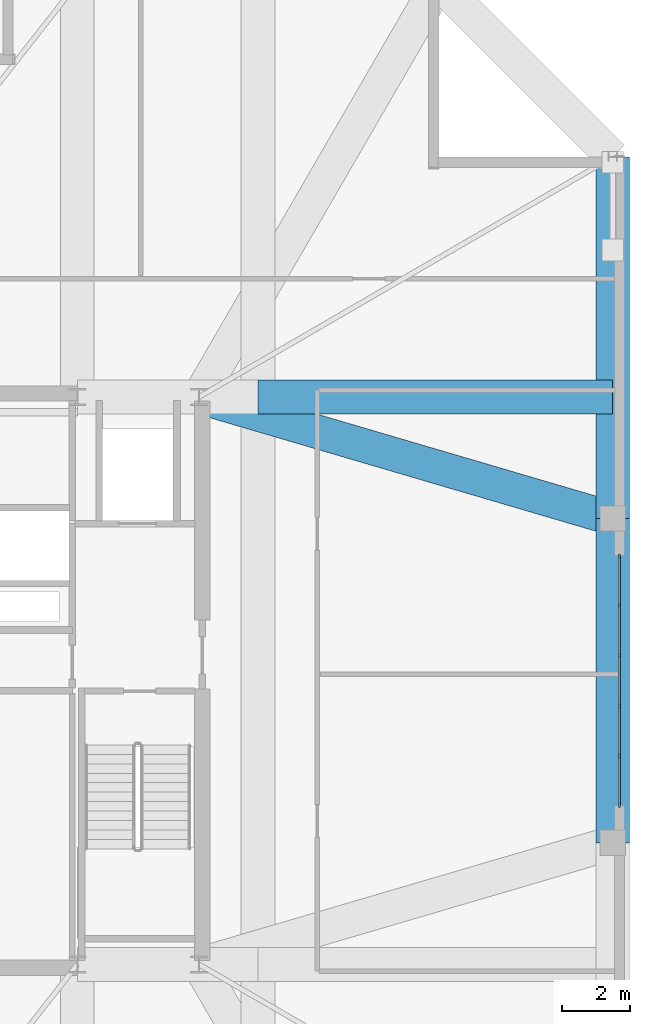
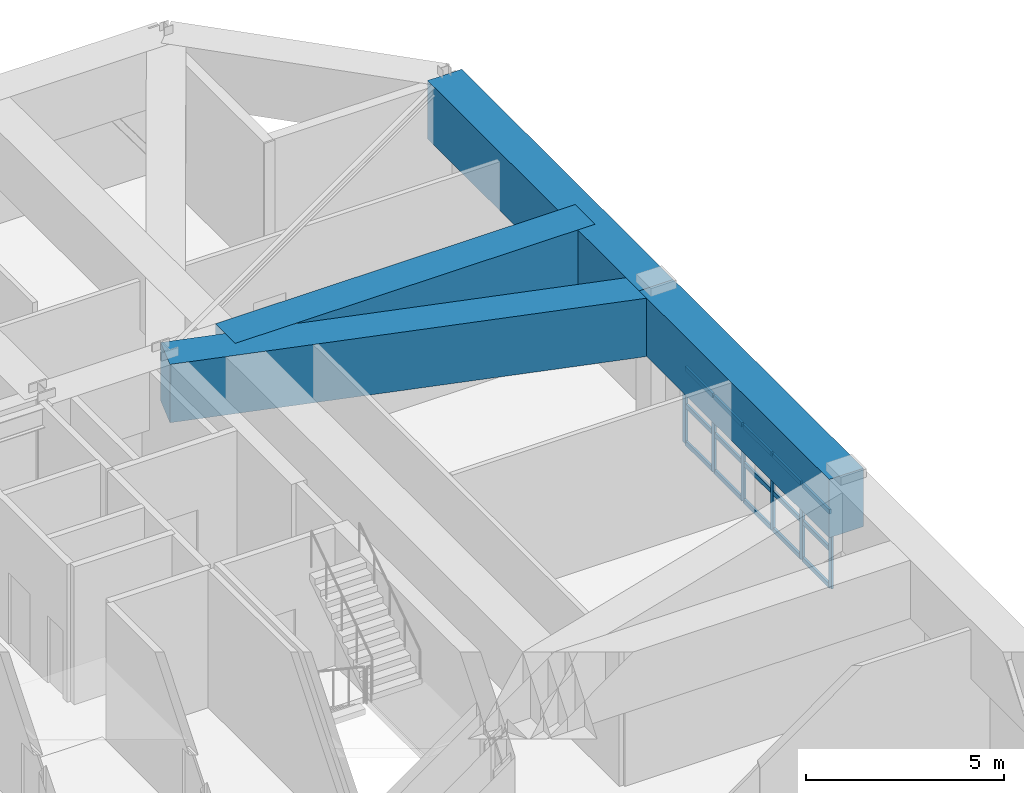
# One storey, part 10 of 17: 21 members, 4 beams, 1 element without a shape of its own.
"""IFC4 building model written with IfcOpenShell, lengths in metres."""

import ifcopenshell
import ifcopenshell.guid

model = None  # the IFC model being written
_history = None  # IfcOwnerHistory: only IFC2X3 demands one
_inside = {}  # id of a spatial element -> (the spatial element, [elements in it])
_under = {}  # id of a project, library or spatial element -> (it, [spatial elements below it])
_declared = {}  # id of a project -> (the project, [libraries it declares])
_typed = {}  # id of a type object -> (the type object, [elements of that type])
_made_of = {}  # id of a material, layer set ... -> (it, [elements and type objects made of it])


def new_model(schema):
    """Start an empty IFC model of exactly this schema.

    Asked for "IFC4X3", IfcOpenShell would pick the latest addendum, in which some entities
    have other attributes; the version numbers below select the first issue.
    IFC2X3 requires an IfcOwnerHistory on every rooted entity: one is made here for all.
    """
    global model, _history
    if schema == "IFC4X3":
        model = ifcopenshell.file(schema_version=(4, 3, 0, 0))
    else:
        model = ifcopenshell.file(schema=schema)
    _inside.clear()
    _under.clear()
    _declared.clear()
    _typed.clear()
    _made_of.clear()
    _history = None
    if model.schema == "IFC2X3":
        org = make("IfcOrganization", Name="unknown")
        user = make(
            "IfcPersonAndOrganization",
            ThePerson=make("IfcPerson", FamilyName="unknown"),
            TheOrganization=org,
        )
        app = make(
            "IfcApplication",
            ApplicationDeveloper=org,
            Version="unknown",
            ApplicationFullName="unknown",
            ApplicationIdentifier="unknown",
        )
        _history = make(
            "IfcOwnerHistory",
            OwningUser=user,
            OwningApplication=app,
            ChangeAction="ADDED",
            CreationDate=0,
        )
    return model


def make(cls, **values):
    """One entity of the class cls with the attributes given. An attribute that is None is left unset."""
    return model.create_entity(
        cls, **{name: value for name, value in values.items() if value is not None}
    )


def rooted(cls, **values):
    """An entity with a GlobalId (a new one), such as an element, a storey or a relation."""
    return make(cls, GlobalId=ifcopenshell.guid.new(), OwnerHistory=_history, **values)


def si_unit(unit_type, name, prefix=None):
    """IfcSIUnit, for example si_unit("LENGTHUNIT", "METRE", prefix="MILLI")."""
    return make("IfcSIUnit", UnitType=unit_type, Prefix=prefix, Name=name)


def assignment(units):
    """IfcUnitAssignment: the units of a project."""
    return None if units is None else make("IfcUnitAssignment", Units=units)


def point(xyz):
    """IfcCartesianPoint."""
    return None if xyz is None else make("IfcCartesianPoint", Coordinates=xyz)


def direction(xyz):
    """IfcDirection."""
    return None if xyz is None else make("IfcDirection", DirectionRatios=xyz)


def frame(location, z_axis=None, x_axis=None):
    """IfcAxis2Placement3D, a coordinate frame: its origin and axes. An axis left out is left unset."""
    return make(
        "IfcAxis2Placement3D",
        Location=point(location),
        Axis=direction(z_axis),
        RefDirection=direction(x_axis),
    )


def frame_2d(location, x_axis=None):
    """IfcAxis2Placement2D, a coordinate frame in the plane: its origin and x axis."""
    return make(
        "IfcAxis2Placement2D", Location=point(location), RefDirection=direction(x_axis)
    )


def origin():
    """The frame at (0, 0, 0) with its axes left unset."""
    return frame((0.0, 0.0, 0.0))


def origin_2d():
    """The frame at (0, 0) in the plane with its x axis left unset."""
    return frame_2d((0.0, 0.0))


def place(relative_to, where):
    """IfcLocalPlacement: puts the frame where relative to a parent placement (None: the world)."""
    return make(
        "IfcLocalPlacement", PlacementRelTo=relative_to, RelativePlacement=where
    )


def context(
    kind, dimensions, precision=None, world=None, true_north=None, identifier=None
):
    """IfcGeometricRepresentationContext, for example the 3D "Model" context."""
    return make(
        "IfcGeometricRepresentationContext",
        ContextIdentifier=identifier,
        ContextType=kind,
        CoordinateSpaceDimension=dimensions,
        Precision=precision,
        WorldCoordinateSystem=world,
        TrueNorth=true_north,
    )


def subcontext(parent, identifier, kind, view, scale=None):
    """IfcGeometricRepresentationSubContext, for example "Body" below "Model"."""
    return make(
        "IfcGeometricRepresentationSubContext",
        ContextIdentifier=identifier,
        ContextType=kind,
        ParentContext=parent,
        TargetScale=scale,
        TargetView=view,
    )


def project(units=None, contexts=None):
    """IfcProject with its units and contexts."""
    return rooted(
        "IfcProject",
        Name="project",
        RepresentationContexts=contexts,
        UnitsInContext=assignment(units),
    )


def spatial(cls, under=None, at=None, **own):
    """A site, building, storey or space (cls), placed at a placement, below another one or the project."""
    s = rooted(cls, ObjectPlacement=at, **own)
    if under is not None:
        _under.setdefault(under.id(), (under, []))[1].append(s)
    return s


def profile(cls, at=None, kind="AREA", **sizes):
    """A parametric profile (cls). Its sizes go by their IFC names, for example OverallWidth=200.0."""
    return make(cls, ProfileType=kind, Position=at, **sizes)


def rectangle(**sizes):
    """IfcRectangleProfileDef."""
    return profile("IfcRectangleProfileDef", **sizes)


def extrude(swept, where, along, depth):
    """IfcExtrudedAreaSolid: the profile swept, set in the frame where, extruded along a direction by depth."""
    return make(
        "IfcExtrudedAreaSolid",
        SweptArea=swept,
        Position=where,
        ExtrudedDirection=direction(along),
        Depth=depth,
    )


def shape(context_of_items, identifier, shape_type, items):
    """IfcShapeRepresentation: the items that make up one representation, for example the "Body"."""
    return make(
        "IfcShapeRepresentation",
        ContextOfItems=context_of_items,
        RepresentationIdentifier=identifier,
        RepresentationType=shape_type,
        Items=items,
    )


def material(Name=None, Category=None):
    """IfcMaterial."""
    return make("IfcMaterial", Name=Name, Category=Category)


def layer(
    of_material, thickness, ventilated=None, Name=None, Category=None, Priority=None
):
    """IfcMaterialLayer: one layer of a wall or slab, of a material (None: an air gap)."""
    return make(
        "IfcMaterialLayer",
        Material=of_material,
        LayerThickness=thickness,
        IsVentilated=ventilated,
        Name=Name,
        Category=Category,
        Priority=Priority,
    )


def layer_set(layers, Name=None):
    """IfcMaterialLayerSet."""
    return make("IfcMaterialLayerSet", MaterialLayers=layers, LayerSetName=Name)


def material_profile(
    of_material, cross_section, Name=None, Category=None, Priority=None
):
    """IfcMaterialProfile: a cross section and its material."""
    return make(
        "IfcMaterialProfile",
        Name=Name,
        Material=of_material,
        Profile=cross_section,
        Priority=Priority,
        Category=Category,
    )


def profile_set(profiles, Name=None, composite=None):
    """IfcMaterialProfileSet."""
    return make(
        "IfcMaterialProfileSet",
        Name=Name,
        MaterialProfiles=profiles,
        CompositeProfile=composite,
    )


def made_of(thing, what):
    """Note that an element or type object is made of a material, layer set ...; save() writes the relation."""
    if what is not None:
        _made_of.setdefault(what.id(), (what, []))[1].append(thing)
    return thing


def type_object(cls, material=None, **own):
    """A type object (cls), such as IfcWallType, which elements share."""
    return made_of(rooted(cls, **own), material)


def element(
    cls,
    number,
    at=None,
    inside=None,
    cuts=None,
    type_object=None,
    material=None,
    context=None,
    identifier="Body",
    shape_type=None,
    held_by="IfcProductDefinitionShape",
    body=None,
    shapes=None,
    **own,
):
    """One element of the class cls, such as IfcWall. Its Tag is "e" and its number.

    at: its placement. inside: the storey or other place that contains it. cuts: it is an
    opening in that element (IfcRelVoidsElement). A single representation is given by context,
    identifier, shape_type and body (its items); several are given by shapes. held_by: the class
    of the entity that holds the representations. save() writes the other relations.
    """
    e = rooted(cls, Tag="e%d" % number, ObjectPlacement=at, **own)
    if body is not None:
        shapes = [shape(context, identifier, shape_type, body)]
    if shapes is not None:
        e.Representation = make(held_by, Representations=shapes)
    if inside is not None:
        _inside.setdefault(inside.id(), (inside, []))[1].append(e)
    if cuts is not None:
        rooted(
            "IfcRelVoidsElement", RelatingBuildingElement=cuts, RelatedOpeningElement=e
        )
    if type_object is not None:
        _typed.setdefault(type_object.id(), (type_object, []))[1].append(e)
    return made_of(e, material)


def aggregate(whole, parts):
    """IfcRelAggregates: a whole, such as a stair, and the parts it consists of."""
    return rooted("IfcRelAggregates", RelatingObject=whole, RelatedObjects=parts)


def save(model, path):
    """Write the relations noted so far, then the file.

    IfcRelAggregates (storeys below a building ...), IfcRelContainedInSpatialStructure (elements
    in a storey), IfcRelDefinesByType, IfcRelAssociatesMaterial and IfcRelDeclares: one each for
    every whole, place, type object, material and project.
    """
    for whole, parts in _under.values():
        aggregate(whole, parts)
    for where, things in _inside.values():
        rooted(
            "IfcRelContainedInSpatialStructure",
            RelatedElements=things,
            RelatingStructure=where,
        )
    for kind, things in _typed.values():
        rooted("IfcRelDefinesByType", RelatedObjects=things, RelatingType=kind)
    for what, things in _made_of.values():
        rooted("IfcRelAssociatesMaterial", RelatedObjects=things, RelatingMaterial=what)
    for by, libraries in _declared.values():
        rooted("IfcRelDeclares", RelatingContext=by, RelatedDefinitions=libraries)
    model.write(path)


model = new_model("IFC4")

# Units and contexts
model_context = context("Model", 3, precision=1e-05, world=origin(), true_north=direction((0.0, 1.0)))
body_context = subcontext(model_context, "Body", "Model", "MODEL_VIEW")
ifc_project = project(units=[si_unit("LENGTHUNIT", "METRE"), si_unit("AREAUNIT", "SQUARE_METRE"), si_unit("VOLUMEUNIT", "CUBIC_METRE"), si_unit("PLANEANGLEUNIT", "RADIAN"), si_unit("MASSUNIT", "GRAM", prefix="KILO")], contexts=[model_context])

# Site, building, storey
site_placement = place(None, origin())
site = spatial("IfcSite", under=ifc_project, at=site_placement, CompositionType="ELEMENT")
building_placement = place(site_placement, origin())
building = spatial("IfcBuilding", under=site, at=building_placement, Name="Cairnveth Concourse Tower", CompositionType="ELEMENT")
storey_placement = place(building_placement, frame((0.0, 0.0, 320.0)))
storey = spatial("IfcBuildingStorey", under=building, at=storey_placement, Name="L88", CompositionType="ELEMENT", Elevation=320.0)

# Curtain wall, members
ifc_material_1 = material(Name="Architectural Bronze Anodised Aluminium 6063-T6", Category="aluminium")
ifc_layer = layer(ifc_material_1, 0.300048828125)
ifc_layer_set = layer_set([ifc_layer], Name="Architectural Bronze Anodised Aluminium 6063-T6")
curtain_wall_type = type_object("IfcCurtainWallType", Name="OBSERVATION HORIZON CURTAIN WALL", PredefinedType="USERDEFINED", material=ifc_layer_set)
curtain_wall_placement = place(storey_placement, origin())
curtain_wall = element("IfcCurtainWall", 1, at=curtain_wall_placement, inside=storey, type_object=curtain_wall_type, Name="Curtain Wall CW-L88-F3", ObjectType="UNITISED FACADE", PredefinedType="USERDEFINED")
ifc_material_profile_1 = material_profile(ifc_material_1, rectangle(XDim=0.06494140625, YDim=0.14990234375, at=origin_2d()), Name="AL-MUL-65x150")
ifc_profile_set_1 = profile_set([ifc_material_profile_1], Name="Architectural Bronze Anodised Aluminium 6063-T6")
member_type_1 = type_object("IfcMemberType", Name="BRONZE CURTAIN WALL MULLION AL-MUL-65x150", PredefinedType="MULLION", material=ifc_profile_set_1)
member_1_placement = place(storey_placement, frame((72.85009765625, 42.6826171875, 0.0), z_axis=(0.0, 0.0, 1.0), x_axis=(1.0, 0.0, 0.0)))
member_1 = element("IfcMember", 2, at=member_1_placement, type_object=member_type_1, Name="CWS5 mullion 1", PredefinedType="MULLION", context=body_context, shape_type="SweptSolid", body=[
    extrude(rectangle(XDim=0.06494140625, YDim=0.14990234375, at=origin_2d()), origin(), (0.0, 0.0, 1.0), 2.35009765625),
])
member_2_placement = place(storey_placement, frame((72.85009765625, 41.22900390625, 0.0), z_axis=(0.0, 0.0, 1.0), x_axis=(1.0, 0.0, 0.0)))
member_2 = element("IfcMember", 3, at=member_2_placement, type_object=member_type_1, Name="CWS5 mullion 2", PredefinedType="MULLION", context=body_context, shape_type="SweptSolid", body=[
    extrude(rectangle(XDim=0.06494140625, YDim=0.14990234375, at=origin_2d()), origin(), (0.0, 0.0, 1.0), 2.35009765625),
])
member_3_placement = place(storey_placement, frame((72.85009765625, 39.742919921875, 0.0), z_axis=(0.0, 0.0, 1.0), x_axis=(1.0, 0.0, 0.0)))
member_3 = element("IfcMember", 4, at=member_3_placement, type_object=member_type_1, Name="CWS5 mullion 3", PredefinedType="MULLION", context=body_context, shape_type="SweptSolid", body=[
    extrude(rectangle(XDim=0.06494140625, YDim=0.14990234375, at=origin_2d()), origin(), (0.0, 0.0, 1.0), 2.35009765625),
])
member_4_placement = place(storey_placement, frame((72.85009765625, 38.257080078125, 0.0), z_axis=(0.0, 0.0, 1.0), x_axis=(1.0, 0.0, 0.0)))
member_4 = element("IfcMember", 5, at=member_4_placement, type_object=member_type_1, Name="CWS5 mullion 4", PredefinedType="MULLION", context=body_context, shape_type="SweptSolid", body=[
    extrude(rectangle(XDim=0.06494140625, YDim=0.14990234375, at=origin_2d()), origin(), (0.0, 0.0, 1.0), 2.35009765625),
])
member_5_placement = place(storey_placement, frame((72.85009765625, 36.77099609375, 0.0), z_axis=(0.0, 0.0, 1.0), x_axis=(1.0, 0.0, 0.0)))
member_5 = element("IfcMember", 6, at=member_5_placement, type_object=member_type_1, Name="CWS5 mullion 5", PredefinedType="MULLION", context=body_context, shape_type="SweptSolid", body=[
    extrude(rectangle(XDim=0.06494140625, YDim=0.14990234375, at=origin_2d()), origin(), (0.0, 0.0, 1.0), 2.35009765625),
])
member_6_placement = place(storey_placement, frame((72.85009765625, 35.3173828125, 0.0), z_axis=(0.0, 0.0, 1.0), x_axis=(1.0, 0.0, 0.0)))
member_6 = element("IfcMember", 7, at=member_6_placement, type_object=member_type_1, Name="CWS5 mullion 6", PredefinedType="MULLION", context=body_context, shape_type="SweptSolid", body=[
    extrude(rectangle(XDim=0.06494140625, YDim=0.14990234375, at=origin_2d()), origin(), (0.0, 0.0, 1.0), 2.35009765625),
])
ifc_material_profile_2 = material_profile(ifc_material_1, rectangle(XDim=0.06494140625, YDim=0.139892578125, at=origin_2d()), Name="AL-TRN-65x140")
ifc_profile_set_2 = profile_set([ifc_material_profile_2], Name="Architectural Bronze Anodised Aluminium 6063-T6")
member_type_2 = type_object("IfcMemberType", Name="BRONZE CURTAIN WALL TRANSOM AL-TRN-65x140", PredefinedType="USERDEFINED", material=ifc_profile_set_2)
member_7_placement = place(storey_placement, frame((72.85009765625, 42.64990234375, 0.032470703125), z_axis=(0.0, -1.0, 0.0), x_axis=(1.0, 0.0, 0.0)))
member_7 = element("IfcMember", 8, at=member_7_placement, type_object=member_type_2, Name="CWS5 transom 1.1", ObjectType="TRANSOM", PredefinedType="USERDEFINED", context=body_context, shape_type="SweptSolid", body=[
    extrude(rectangle(XDim=0.06494140625, YDim=0.139892578125, at=origin_2d()), origin(), (0.0, 0.0, 1.0), 1.388427734375),
])
member_8_placement = place(storey_placement, frame((72.85009765625, 42.64990234375, 1.175048828125), z_axis=(0.0, -1.0, 0.0), x_axis=(1.0, 0.0, 0.0)))
member_8 = element("IfcMember", 9, at=member_8_placement, type_object=member_type_2, Name="CWS5 transom 1.2", ObjectType="TRANSOM", PredefinedType="USERDEFINED", context=body_context, shape_type="SweptSolid", body=[
    extrude(rectangle(XDim=0.06494140625, YDim=0.139892578125, at=origin_2d()), origin(), (0.0, 0.0, 1.0), 1.388427734375),
])
member_9_placement = place(storey_placement, frame((72.85009765625, 42.64990234375, 2.3173828125), z_axis=(0.0, -1.0, 0.0), x_axis=(1.0, 0.0, 0.0)))
member_9 = element("IfcMember", 10, at=member_9_placement, type_object=member_type_2, Name="CWS5 transom 1.3", ObjectType="TRANSOM", PredefinedType="USERDEFINED", context=body_context, shape_type="SweptSolid", body=[
    extrude(rectangle(XDim=0.06494140625, YDim=0.139892578125, at=origin_2d()), origin(), (0.0, 0.0, 1.0), 1.388427734375),
])
member_10_placement = place(storey_placement, frame((72.85009765625, 41.196533203125, 0.032470703125), z_axis=(0.0, -1.0, 0.0), x_axis=(1.0, 0.0, 0.0)))
member_10 = element("IfcMember", 11, at=member_10_placement, type_object=member_type_2, Name="CWS5 transom 2.1", ObjectType="TRANSOM", PredefinedType="USERDEFINED", context=body_context, shape_type="SweptSolid", body=[
    extrude(rectangle(XDim=0.06494140625, YDim=0.139892578125, at=origin_2d()), origin(), (0.0, 0.0, 1.0), 1.421142578125),
])
member_11_placement = place(storey_placement, frame((72.85009765625, 41.196533203125, 1.175048828125), z_axis=(0.0, -1.0, 0.0), x_axis=(1.0, 0.0, 0.0)))
member_11 = element("IfcMember", 12, at=member_11_placement, type_object=member_type_2, Name="CWS5 transom 2.2", ObjectType="TRANSOM", PredefinedType="USERDEFINED", context=body_context, shape_type="SweptSolid", body=[
    extrude(rectangle(XDim=0.06494140625, YDim=0.139892578125, at=origin_2d()), origin(), (0.0, 0.0, 1.0), 1.421142578125),
])
member_12_placement = place(storey_placement, frame((72.85009765625, 41.196533203125, 2.3173828125), z_axis=(0.0, -1.0, 0.0), x_axis=(1.0, 0.0, 0.0)))
member_12 = element("IfcMember", 13, at=member_12_placement, type_object=member_type_2, Name="CWS5 transom 2.3", ObjectType="TRANSOM", PredefinedType="USERDEFINED", context=body_context, shape_type="SweptSolid", body=[
    extrude(rectangle(XDim=0.06494140625, YDim=0.139892578125, at=origin_2d()), origin(), (0.0, 0.0, 1.0), 1.421142578125),
])
member_13_placement = place(storey_placement, frame((72.85009765625, 39.71044921875, 0.032470703125), z_axis=(0.0, -1.0, 0.0), x_axis=(1.0, 0.0, 0.0)))
member_13 = element("IfcMember", 14, at=member_13_placement, type_object=member_type_2, Name="CWS5 transom 3.1", ObjectType="TRANSOM", PredefinedType="USERDEFINED", context=body_context, shape_type="SweptSolid", body=[
    extrude(rectangle(XDim=0.06494140625, YDim=0.139892578125, at=origin_2d()), origin(), (0.0, 0.0, 1.0), 1.4208984375),
])
member_14_placement = place(storey_placement, frame((72.85009765625, 39.71044921875, 1.175048828125), z_axis=(0.0, -1.0, 0.0), x_axis=(1.0, 0.0, 0.0)))
member_14 = element("IfcMember", 15, at=member_14_placement, type_object=member_type_2, Name="CWS5 transom 3.2", ObjectType="TRANSOM", PredefinedType="USERDEFINED", context=body_context, shape_type="SweptSolid", body=[
    extrude(rectangle(XDim=0.06494140625, YDim=0.139892578125, at=origin_2d()), origin(), (0.0, 0.0, 1.0), 1.4208984375),
])
member_15_placement = place(storey_placement, frame((72.85009765625, 39.71044921875, 2.3173828125), z_axis=(0.0, -1.0, 0.0), x_axis=(1.0, 0.0, 0.0)))
member_15 = element("IfcMember", 16, at=member_15_placement, type_object=member_type_2, Name="CWS5 transom 3.3", ObjectType="TRANSOM", PredefinedType="USERDEFINED", context=body_context, shape_type="SweptSolid", body=[
    extrude(rectangle(XDim=0.06494140625, YDim=0.139892578125, at=origin_2d()), origin(), (0.0, 0.0, 1.0), 1.4208984375),
])
member_16_placement = place(storey_placement, frame((72.85009765625, 38.224609375, 0.032470703125), z_axis=(0.0, -1.0, 0.0), x_axis=(1.0, 0.0, 0.0)))
member_16 = element("IfcMember", 17, at=member_16_placement, type_object=member_type_2, Name="CWS5 transom 4.1", ObjectType="TRANSOM", PredefinedType="USERDEFINED", context=body_context, shape_type="SweptSolid", body=[
    extrude(rectangle(XDim=0.06494140625, YDim=0.139892578125, at=origin_2d()), origin(), (0.0, 0.0, 1.0), 1.421142578125),
])
member_17_placement = place(storey_placement, frame((72.85009765625, 38.224609375, 1.175048828125), z_axis=(0.0, -1.0, 0.0), x_axis=(1.0, 0.0, 0.0)))
member_17 = element("IfcMember", 18, at=member_17_placement, type_object=member_type_2, Name="CWS5 transom 4.2", ObjectType="TRANSOM", PredefinedType="USERDEFINED", context=body_context, shape_type="SweptSolid", body=[
    extrude(rectangle(XDim=0.06494140625, YDim=0.139892578125, at=origin_2d()), origin(), (0.0, 0.0, 1.0), 1.421142578125),
])
member_18_placement = place(storey_placement, frame((72.85009765625, 38.224609375, 2.3173828125), z_axis=(0.0, -1.0, 0.0), x_axis=(1.0, 0.0, 0.0)))
member_18 = element("IfcMember", 19, at=member_18_placement, type_object=member_type_2, Name="CWS5 transom 4.3", ObjectType="TRANSOM", PredefinedType="USERDEFINED", context=body_context, shape_type="SweptSolid", body=[
    extrude(rectangle(XDim=0.06494140625, YDim=0.139892578125, at=origin_2d()), origin(), (0.0, 0.0, 1.0), 1.421142578125),
])
member_19_placement = place(storey_placement, frame((72.85009765625, 36.738525390625, 0.032470703125), z_axis=(0.0, -1.0, 0.0), x_axis=(1.0, 0.0, 0.0)))
member_19 = element("IfcMember", 20, at=member_19_placement, type_object=member_type_2, Name="CWS5 transom 5.1", ObjectType="TRANSOM", PredefinedType="USERDEFINED", context=body_context, shape_type="SweptSolid", body=[
    extrude(rectangle(XDim=0.06494140625, YDim=0.139892578125, at=origin_2d()), origin(), (0.0, 0.0, 1.0), 1.388427734375),
])
member_20_placement = place(storey_placement, frame((72.85009765625, 36.738525390625, 1.175048828125), z_axis=(0.0, -1.0, 0.0), x_axis=(1.0, 0.0, 0.0)))
member_20 = element("IfcMember", 21, at=member_20_placement, type_object=member_type_2, Name="CWS5 transom 5.2", ObjectType="TRANSOM", PredefinedType="USERDEFINED", context=body_context, shape_type="SweptSolid", body=[
    extrude(rectangle(XDim=0.06494140625, YDim=0.139892578125, at=origin_2d()), origin(), (0.0, 0.0, 1.0), 1.388427734375),
])
member_21_placement = place(storey_placement, frame((72.85009765625, 36.738525390625, 2.3173828125), z_axis=(0.0, -1.0, 0.0), x_axis=(1.0, 0.0, 0.0)))
member_21 = element("IfcMember", 22, at=member_21_placement, type_object=member_type_2, Name="CWS5 transom 5.3", ObjectType="TRANSOM", PredefinedType="USERDEFINED", context=body_context, shape_type="SweptSolid", body=[
    extrude(rectangle(XDim=0.06494140625, YDim=0.139892578125, at=origin_2d()), origin(), (0.0, 0.0, 1.0), 1.388427734375),
])
aggregate(curtain_wall, [member_1, member_2, member_3, member_4, member_5, member_6, member_7, member_8, member_9, member_10, member_11, member_12, member_13, member_14, member_15, member_16, member_17, member_18, member_19, member_20, member_21])

# Beams
ifc_material_2 = material(Name="Concrete N65 (65 MPa)", Category="concrete")
ifc_material_profile_3 = material_profile(ifc_material_2, rectangle(XDim=1.0, YDim=1.800048828125, at=origin_2d()), Name="RC-TB-1000x1800")
ifc_profile_set_3 = profile_set([ifc_material_profile_3], Name="Concrete N65 (65 MPa)")
beam_type = type_object("IfcBeamType", Name="CONCRETE TRANSFER GIRDER 1000X1800", PredefinedType="BEAM", material=ifc_profile_set_3)
beam_1_placement = place(storey_placement, frame((72.64990234375, 34.199951171875, 3.35009765625), z_axis=(0.0, 1.0, 0.0), x_axis=(-1.0, 0.0, 0.0)))
element("IfcBeam", 23, at=beam_1_placement, inside=storey, type_object=beam_type, Name="Beam SP-E2 L88", PredefinedType="BEAM", context=body_context, shape_type="SweptSolid", body=[
    extrude(rectangle(XDim=1.0, YDim=1.800048828125, at=origin_2d()), origin(), (0.0, 0.0, 1.0), 9.60009765625),
])
beam_2_placement = place(storey_placement, frame((72.64990234375, 43.800048828125, 3.35009765625), z_axis=(0.0, 1.0, 0.0), x_axis=(-1.0, 0.0, 0.0)))
element("IfcBeam", 24, at=beam_2_placement, inside=storey, type_object=beam_type, Name="Beam SP-E3 L88", PredefinedType="BEAM", context=body_context, shape_type="SweptSolid", body=[
    extrude(rectangle(XDim=1.0, YDim=1.800048828125, at=origin_2d()), origin(), (0.0, 0.0, 1.0), 10.699951171875),
])
beam_3_placement = place(storey_placement, frame((60.39990234375, 47.39990234375, 3.35009765625), z_axis=(0.959430938842, -0.281943741893, 0.0), x_axis=(0.281943741893, 0.959430938842, 0.0)))
element("IfcBeam", 25, at=beam_3_placement, inside=storey, type_object=beam_type, Name="Beam RG-E2 L88", PredefinedType="BEAM", context=body_context, shape_type="SweptSolid", body=[
    extrude(rectangle(XDim=1.0, YDim=1.800048828125, at=origin_2d()), origin(), (0.0, 0.0, 1.0), 12.76806640625),
])
beam_4_placement = place(storey_placement, frame((62.14990234375, 47.39990234375, 3.35009765625), z_axis=(1.0, 0.0, 0.0), x_axis=(0.0, 1.0, 0.0)))
element("IfcBeam", 26, at=beam_4_placement, inside=storey, type_object=beam_type, Name="Beam CTG-EM2B L88", PredefinedType="BEAM", context=body_context, shape_type="SweptSolid", body=[
    extrude(rectangle(XDim=1.0, YDim=1.800048828125, at=origin_2d()), origin(), (0.0, 0.0, 1.0), 10.5),
])

save(model, "model.ifc")
